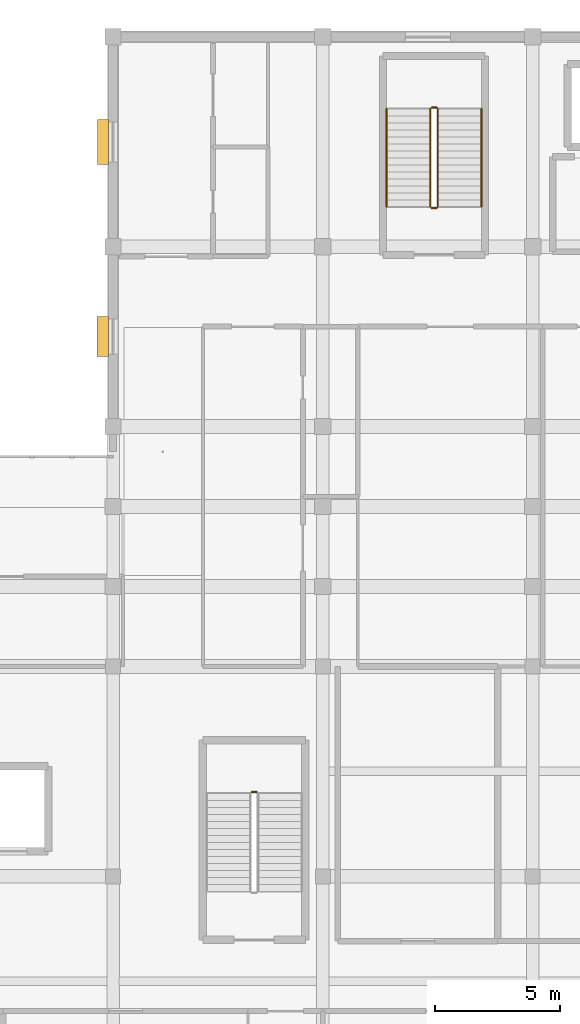
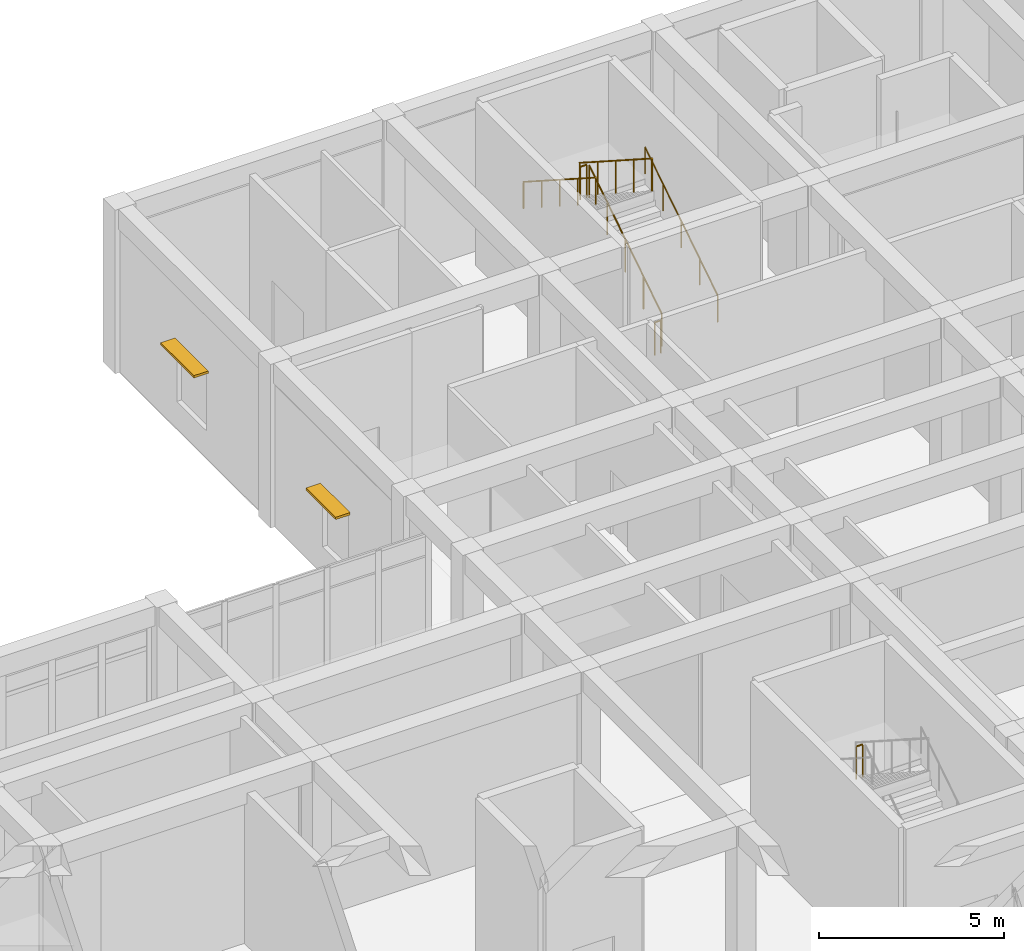
# One storey, part 148 of 157: 7 railings, 2 shading devices.
"""IFC4 building model written with IfcOpenShell, lengths in metres."""

from ifc_helpers import new_model, si_unit, direction, frame, origin, origin_2d, place, context, subcontext, project, spatial, rectangle, circle, extrude, material, layer, layer_set, type_object, element, save


model = new_model("IFC4")

# Units and contexts
model_context = context("Model", 3, precision=1e-05, world=origin(), true_north=direction((0.0, 1.0)))
body_context = subcontext(model_context, "Body", "Model", "MODEL_VIEW")
ifc_project = project(units=[si_unit("LENGTHUNIT", "METRE"), si_unit("AREAUNIT", "SQUARE_METRE"), si_unit("VOLUMEUNIT", "CUBIC_METRE"), si_unit("PLANEANGLEUNIT", "RADIAN"), si_unit("MASSUNIT", "GRAM", prefix="KILO")], contexts=[model_context])

# Site, building, storey
site_placement = place(None, origin())
site = spatial("IfcSite", under=ifc_project, at=site_placement, CompositionType="ELEMENT")
building_placement = place(site_placement, origin())
building = spatial("IfcBuilding", under=site, at=building_placement, Name="Varncliffe General Hospital", CompositionType="ELEMENT")
storey_placement = place(building_placement, frame((0.0, 0.0, 5.39990234375)))
storey = spatial("IfcBuildingStorey", under=building, at=storey_placement, Name="L01", CompositionType="ELEMENT", Elevation=5.39990234375)

# Shading devices
ifc_material_1 = material(Name="Dark bronze extruded aluminium solar jalousie louvres", Category="aluminium")
ifc_layer = layer(ifc_material_1, 0.080078125)
ifc_layer_set = layer_set([ifc_layer], Name="Dark bronze extruded aluminium solar jalousie louvres")
shading_device_type = type_object("IfcShadingDeviceType", Name="Bronze Solar Jalousie Louvre Hood SHD18", PredefinedType="JALOUSIE", material=ifc_layer_set)
shading_device_1_placement = place(storey_placement, frame((108.784912109375, 112.800048828125, 2.860107421875), z_axis=(0.0, 0.0, 1.0), x_axis=(0.0, 1.0, 0.0)))
element("IfcShadingDevice", 1, at=shading_device_1_placement, inside=storey, type_object=shading_device_type, Name="L01 Bronze Window Sun-Shading Louvre 27", PredefinedType="JALOUSIE", context=body_context, shape_type="SweptSolid", body=[
    extrude(rectangle(XDim=1.60009765625, YDim=0.449951171875, at=origin_2d()), origin(), (0.0, 0.0, 1.0), 0.080078125),
])
shading_device_2_placement = place(storey_placement, frame((108.800048828125, 120.60009765625, 2.860107421875), z_axis=(0.0, 0.0, 1.0), x_axis=(0.0, 1.0, 0.0)))
element("IfcShadingDevice", 2, at=shading_device_2_placement, inside=storey, type_object=shading_device_type, Name="L01 Bronze Window Sun-Shading Louvre 28", PredefinedType="JALOUSIE", context=body_context, shape_type="SweptSolid", body=[
    extrude(rectangle(XDim=1.800048828125, YDim=0.449951171875, at=origin_2d()), origin(), (0.0, 0.0, 1.0), 0.080078125),
])

# Railings
ifc_material_2 = material(Name="Powder-coated hospital steel guardrail and handrail", Category="steel")
railing_type_1 = type_object("IfcRailingType", Name="Stair and Ramp Handrail HR46", PredefinedType="HANDRAIL", material=ifc_material_2)
railing_1_placement = place(storey_placement, frame((123.949951171875, 118.0, 0.364013671875)))
element("IfcRailing", 3, at=railing_1_placement, inside=storey, type_object=railing_type_1, Name="L01 ST03 stair handrail 1", PredefinedType="HANDRAIL", context=body_context, shape_type="SweptSolid", body=[
    extrude(circle(Radius=0.02392578125, at=origin_2d()), frame((0.0, 0.0, 0.8759765625), z_axis=(0.0, 0.841171666519, 0.540768182723), x_axis=(-1.0, 0.0, 0.0)), (0.0, 0.0, 1.0), 4.66015625),
    extrude(circle(Radius=0.02099609375, at=origin_2d()), origin(), (0.0, 0.0, 1.0), 0.851806640625),
    extrude(circle(Radius=0.02099609375, at=origin_2d()), frame((0.0, 0.97998046875, 0.6298828125)), (0.0, 0.0, 1.0), 0.851806640625),
    extrude(circle(Radius=0.02099609375, at=origin_2d()), frame((0.0, 1.9599609375, 1.260009765625)), (0.0, 0.0, 1.0), 0.851806640625),
    extrude(circle(Radius=0.02099609375, at=origin_2d()), frame((0.0, 2.93994140625, 1.89013671875)), (0.0, 0.0, 1.0), 0.851806640625),
    extrude(circle(Radius=0.02099609375, at=origin_2d()), frame((0.0, 3.919921875, 2.52001953125)), (0.0, 0.0, 1.0), 0.851806640625),
])
railing_2_placement = place(storey_placement, frame((120.14990234375, 121.919921875, 3.064208984375)))
element("IfcRailing", 4, at=railing_2_placement, inside=storey, type_object=railing_type_1, Name="L01 ST03 stair handrail 2", PredefinedType="HANDRAIL", context=body_context, shape_type="SweptSolid", body=[
    extrude(circle(Radius=0.02392578125, at=origin_2d()), frame((0.0, 0.0, 0.8759765625), z_axis=(0.0, -0.84119549742, 0.540731111663), x_axis=(1.0, 0.0, 0.0)), (0.0, 0.0, 1.0), 4.659912109375),
    extrude(circle(Radius=0.02099609375, at=origin_2d()), origin(), (0.0, 0.0, 1.0), 0.851806640625),
    extrude(circle(Radius=0.02099609375, at=origin_2d()), frame((0.0, -0.97998046875, 0.6298828125)), (0.0, 0.0, 1.0), 0.851806640625),
    extrude(circle(Radius=0.02099609375, at=origin_2d()), frame((0.0, -1.9599609375, 1.259765625)), (0.0, 0.0, 1.0), 0.851806640625),
    extrude(circle(Radius=0.02099609375, at=origin_2d()), frame((0.0, -2.93994140625, 1.889892578125)), (0.0, 0.0, 1.0), 0.851806640625),
    extrude(circle(Radius=0.02099609375, at=origin_2d()), frame((0.0, -3.919921875, 2.519775390625)), (0.0, 0.0, 1.0), 0.851806640625),
])
railing_type_2 = type_object("IfcRailingType", Name="Stairwell Guardrail SG49", PredefinedType="GUARDRAIL", material=ifc_material_2)
railing_3_placement = place(storey_placement, frame((122.199951171875, 118.0, 0.18017578125)))
element("IfcRailing", 5, at=railing_3_placement, inside=storey, type_object=railing_type_2, Name="L01 ST03 stair guard 1", PredefinedType="GUARDRAIL", context=body_context, shape_type="SweptSolid", body=[
    extrude(circle(Radius=0.02392578125, at=origin_2d()), frame((0.0, 0.0, 1.076171875), z_axis=(0.0, 0.841171666519, 0.540768182723), x_axis=(-1.0, 0.0, 0.0)), (0.0, 0.0, 1.0), 4.66015625),
    extrude(circle(Radius=0.02099609375, at=origin_2d()), origin(), (0.0, 0.0, 1.0), 1.052001953125),
    extrude(circle(Radius=0.02099609375, at=origin_2d()), frame((0.0, 0.97998046875, 0.6298828125)), (0.0, 0.0, 1.0), 1.052001953125),
    extrude(circle(Radius=0.02099609375, at=origin_2d()), frame((0.0, 1.9599609375, 1.260009765625)), (0.0, 0.0, 1.0), 1.052001953125),
    extrude(circle(Radius=0.02099609375, at=origin_2d()), frame((0.0, 2.93994140625, 1.89013671875)), (0.0, 0.0, 1.0), 1.052001953125),
    extrude(circle(Radius=0.02099609375, at=origin_2d()), frame((0.0, 3.919921875, 2.52001953125)), (0.0, 0.0, 1.0), 1.052001953125),
])
railing_4_placement = place(storey_placement, frame((122.14990234375, 121.969970703125, 2.7001953125)))
element("IfcRailing", 6, at=railing_4_placement, inside=storey, type_object=railing_type_2, Name="L01 ST03 stair guard 2", PredefinedType="GUARDRAIL", context=body_context, shape_type="SweptSolid", body=[
    extrude(circle(Radius=0.02392578125, at=origin_2d()), frame((0.0, 0.0, 1.076171875), z_axis=(-1.0, 0.0, 0.0), x_axis=(0.0, -1.0, 0.0)), (0.0, 0.0, 1.0), 0.199951171875),
    extrude(circle(Radius=0.02099609375, at=origin_2d()), origin(), (0.0, 0.0, 1.0), 1.052001953125),
    extrude(circle(Radius=0.02099609375, at=origin_2d()), frame((-0.199951171875, 0.0, 0.0)), (0.0, 0.0, 1.0), 1.052001953125),
])
railing_5_placement = place(storey_placement, frame((121.89990234375, 121.919921875, 2.880126953125)))
element("IfcRailing", 7, at=railing_5_placement, inside=storey, type_object=railing_type_2, Name="L01 ST03 stair guard 3", PredefinedType="GUARDRAIL", context=body_context, shape_type="SweptSolid", body=[
    extrude(circle(Radius=0.02392578125, at=origin_2d()), frame((0.0, 0.0, 1.076171875), z_axis=(0.0, -0.841171666519, 0.540768182723), x_axis=(1.0, 0.0, 0.0)), (0.0, 0.0, 1.0), 4.66015625),
    extrude(circle(Radius=0.02099609375, at=origin_2d()), origin(), (0.0, 0.0, 1.0), 1.052001953125),
    extrude(circle(Radius=0.02099609375, at=origin_2d()), frame((0.0, -0.97998046875, 0.6298828125)), (0.0, 0.0, 1.0), 1.052001953125),
    extrude(circle(Radius=0.02099609375, at=origin_2d()), frame((0.0, -1.9599609375, 1.260009765625)), (0.0, 0.0, 1.0), 1.052001953125),
    extrude(circle(Radius=0.02099609375, at=origin_2d()), frame((0.0, -2.93994140625, 1.89013671875)), (0.0, 0.0, 1.0), 1.052001953125),
    extrude(circle(Radius=0.02099609375, at=origin_2d()), frame((0.0, -3.919921875, 2.52001953125)), (0.0, 0.0, 1.0), 1.052001953125),
])
for number, where, name in (
    (8, (122.14990234375, 117.949951171875, 0.0), "L01 ST03 stair guard 4"),
    (9, (114.949951171875, 94.570068359375, 2.7001953125), "L01 ST06 stair guard 2"),
):
    element("IfcRailing", number, at=place(storey_placement, frame(where)), inside=storey, type_object=railing_type_2, Name=name, PredefinedType="GUARDRAIL", context=body_context, shape_type="SweptSolid", body=[
        extrude(circle(Radius=0.02392578125, at=origin_2d()), frame((0.0, 0.0, 1.076171875), z_axis=(-1.0, 0.0, 0.0), x_axis=(0.0, -1.0, 0.0)), (0.0, 0.0, 1.0), 0.199951171875),
        extrude(circle(Radius=0.02099609375, at=origin_2d()), origin(), (0.0, 0.0, 1.0), 1.052001953125),
        extrude(circle(Radius=0.02099609375, at=origin_2d()), frame((-0.199951171875, 0.0, 0.0)), (0.0, 0.0, 1.0), 1.052001953125),
    ])

save(model, "model.ifc")
